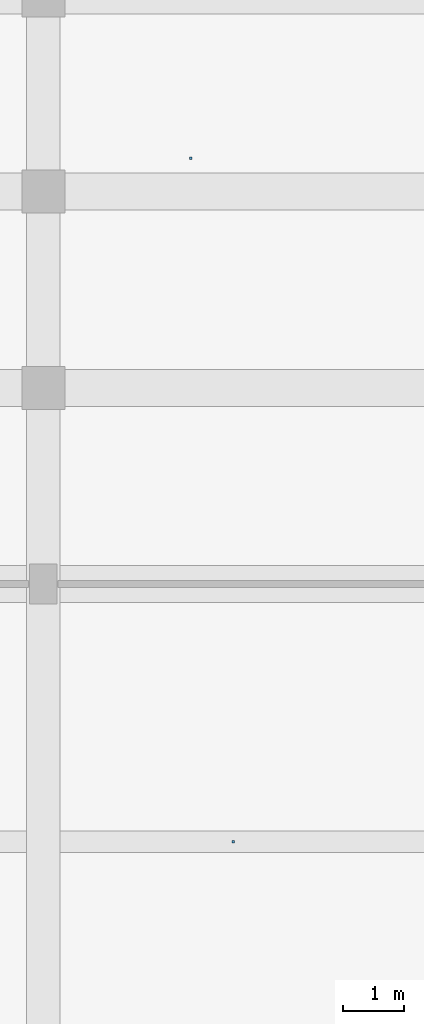
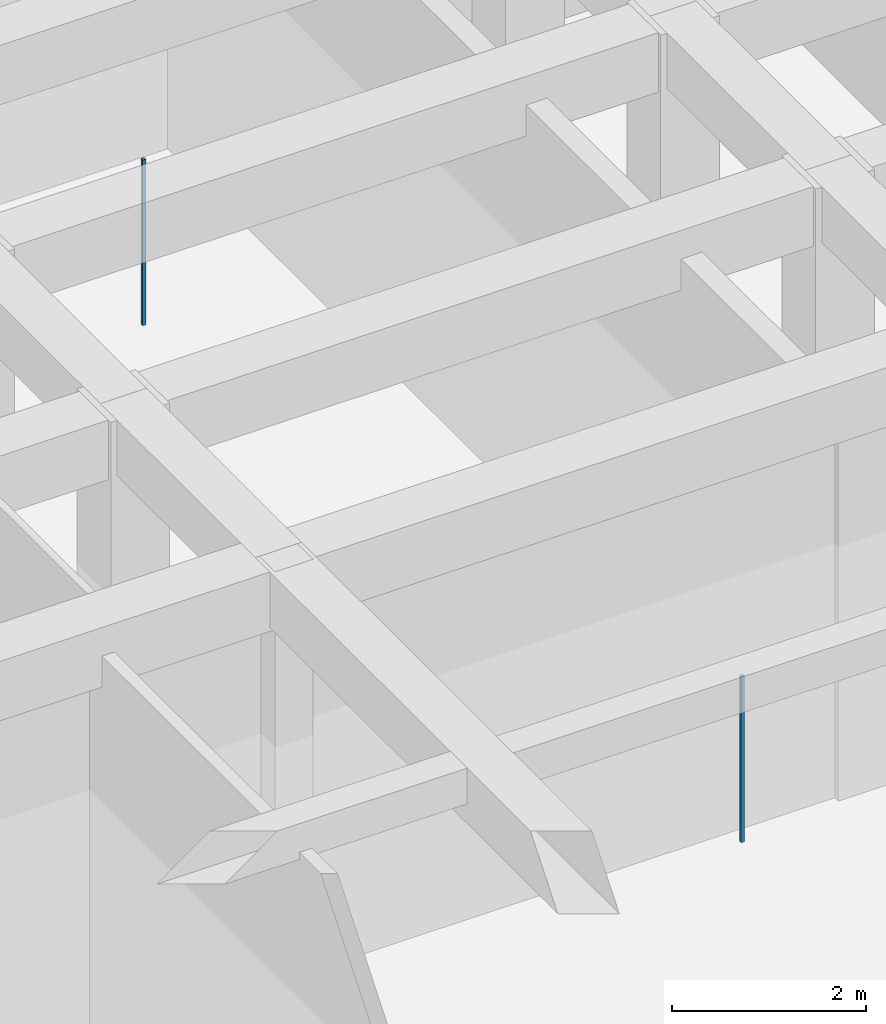
# One storey, part 106 of 167: 2 discrete accessories.
"""IFC4 building model written with IfcOpenShell, lengths in metres."""

import ifcopenshell
import ifcopenshell.guid

model = None  # the IFC model being written
_history = None  # IfcOwnerHistory: only IFC2X3 demands one
_inside = {}  # id of a spatial element -> (the spatial element, [elements in it])
_under = {}  # id of a project, library or spatial element -> (it, [spatial elements below it])
_declared = {}  # id of a project -> (the project, [libraries it declares])
_typed = {}  # id of a type object -> (the type object, [elements of that type])
_made_of = {}  # id of a material, layer set ... -> (it, [elements and type objects made of it])


def new_model(schema):
    """Start an empty IFC model of exactly this schema.

    Asked for "IFC4X3", IfcOpenShell would pick the latest addendum, in which some entities
    have other attributes; the version numbers below select the first issue.
    IFC2X3 requires an IfcOwnerHistory on every rooted entity: one is made here for all.
    """
    global model, _history
    if schema == "IFC4X3":
        model = ifcopenshell.file(schema_version=(4, 3, 0, 0))
    else:
        model = ifcopenshell.file(schema=schema)
    _inside.clear()
    _under.clear()
    _declared.clear()
    _typed.clear()
    _made_of.clear()
    _history = None
    if model.schema == "IFC2X3":
        org = make("IfcOrganization", Name="unknown")
        user = make(
            "IfcPersonAndOrganization",
            ThePerson=make("IfcPerson", FamilyName="unknown"),
            TheOrganization=org,
        )
        app = make(
            "IfcApplication",
            ApplicationDeveloper=org,
            Version="unknown",
            ApplicationFullName="unknown",
            ApplicationIdentifier="unknown",
        )
        _history = make(
            "IfcOwnerHistory",
            OwningUser=user,
            OwningApplication=app,
            ChangeAction="ADDED",
            CreationDate=0,
        )
    return model


def make(cls, **values):
    """One entity of the class cls with the attributes given. An attribute that is None is left unset."""
    return model.create_entity(
        cls, **{name: value for name, value in values.items() if value is not None}
    )


def rooted(cls, **values):
    """An entity with a GlobalId (a new one), such as an element, a storey or a relation."""
    return make(cls, GlobalId=ifcopenshell.guid.new(), OwnerHistory=_history, **values)


def si_unit(unit_type, name, prefix=None):
    """IfcSIUnit, for example si_unit("LENGTHUNIT", "METRE", prefix="MILLI")."""
    return make("IfcSIUnit", UnitType=unit_type, Prefix=prefix, Name=name)


def assignment(units):
    """IfcUnitAssignment: the units of a project."""
    return None if units is None else make("IfcUnitAssignment", Units=units)


def point(xyz):
    """IfcCartesianPoint."""
    return None if xyz is None else make("IfcCartesianPoint", Coordinates=xyz)


def direction(xyz):
    """IfcDirection."""
    return None if xyz is None else make("IfcDirection", DirectionRatios=xyz)


def frame(location, z_axis=None, x_axis=None):
    """IfcAxis2Placement3D, a coordinate frame: its origin and axes. An axis left out is left unset."""
    return make(
        "IfcAxis2Placement3D",
        Location=point(location),
        Axis=direction(z_axis),
        RefDirection=direction(x_axis),
    )


def frame_2d(location, x_axis=None):
    """IfcAxis2Placement2D, a coordinate frame in the plane: its origin and x axis."""
    return make(
        "IfcAxis2Placement2D", Location=point(location), RefDirection=direction(x_axis)
    )


def origin():
    """The frame at (0, 0, 0) with its axes left unset."""
    return frame((0.0, 0.0, 0.0))


def origin_2d():
    """The frame at (0, 0) in the plane with its x axis left unset."""
    return frame_2d((0.0, 0.0))


def place(relative_to, where):
    """IfcLocalPlacement: puts the frame where relative to a parent placement (None: the world)."""
    return make(
        "IfcLocalPlacement", PlacementRelTo=relative_to, RelativePlacement=where
    )


def context(
    kind, dimensions, precision=None, world=None, true_north=None, identifier=None
):
    """IfcGeometricRepresentationContext, for example the 3D "Model" context."""
    return make(
        "IfcGeometricRepresentationContext",
        ContextIdentifier=identifier,
        ContextType=kind,
        CoordinateSpaceDimension=dimensions,
        Precision=precision,
        WorldCoordinateSystem=world,
        TrueNorth=true_north,
    )


def subcontext(parent, identifier, kind, view, scale=None):
    """IfcGeometricRepresentationSubContext, for example "Body" below "Model"."""
    return make(
        "IfcGeometricRepresentationSubContext",
        ContextIdentifier=identifier,
        ContextType=kind,
        ParentContext=parent,
        TargetScale=scale,
        TargetView=view,
    )


def project(units=None, contexts=None):
    """IfcProject with its units and contexts."""
    return rooted(
        "IfcProject",
        Name="project",
        RepresentationContexts=contexts,
        UnitsInContext=assignment(units),
    )


def spatial(cls, under=None, at=None, **own):
    """A site, building, storey or space (cls), placed at a placement, below another one or the project."""
    s = rooted(cls, ObjectPlacement=at, **own)
    if under is not None:
        _under.setdefault(under.id(), (under, []))[1].append(s)
    return s


def profile(cls, at=None, kind="AREA", **sizes):
    """A parametric profile (cls). Its sizes go by their IFC names, for example OverallWidth=200.0."""
    return make(cls, ProfileType=kind, Position=at, **sizes)


def rectangle(**sizes):
    """IfcRectangleProfileDef."""
    return profile("IfcRectangleProfileDef", **sizes)


def extrude(swept, where, along, depth):
    """IfcExtrudedAreaSolid: the profile swept, set in the frame where, extruded along a direction by depth."""
    return make(
        "IfcExtrudedAreaSolid",
        SweptArea=swept,
        Position=where,
        ExtrudedDirection=direction(along),
        Depth=depth,
    )


def shape(context_of_items, identifier, shape_type, items):
    """IfcShapeRepresentation: the items that make up one representation, for example the "Body"."""
    return make(
        "IfcShapeRepresentation",
        ContextOfItems=context_of_items,
        RepresentationIdentifier=identifier,
        RepresentationType=shape_type,
        Items=items,
    )


def material(Name=None, Category=None):
    """IfcMaterial."""
    return make("IfcMaterial", Name=Name, Category=Category)


def made_of(thing, what):
    """Note that an element or type object is made of a material, layer set ...; save() writes the relation."""
    if what is not None:
        _made_of.setdefault(what.id(), (what, []))[1].append(thing)
    return thing


def type_object(cls, material=None, **own):
    """A type object (cls), such as IfcWallType, which elements share."""
    return made_of(rooted(cls, **own), material)


def element(
    cls,
    number,
    at=None,
    inside=None,
    cuts=None,
    type_object=None,
    material=None,
    context=None,
    identifier="Body",
    shape_type=None,
    held_by="IfcProductDefinitionShape",
    body=None,
    shapes=None,
    **own,
):
    """One element of the class cls, such as IfcWall. Its Tag is "e" and its number.

    at: its placement. inside: the storey or other place that contains it. cuts: it is an
    opening in that element (IfcRelVoidsElement). A single representation is given by context,
    identifier, shape_type and body (its items); several are given by shapes. held_by: the class
    of the entity that holds the representations. save() writes the other relations.
    """
    e = rooted(cls, Tag="e%d" % number, ObjectPlacement=at, **own)
    if body is not None:
        shapes = [shape(context, identifier, shape_type, body)]
    if shapes is not None:
        e.Representation = make(held_by, Representations=shapes)
    if inside is not None:
        _inside.setdefault(inside.id(), (inside, []))[1].append(e)
    if cuts is not None:
        rooted(
            "IfcRelVoidsElement", RelatingBuildingElement=cuts, RelatedOpeningElement=e
        )
    if type_object is not None:
        _typed.setdefault(type_object.id(), (type_object, []))[1].append(e)
    return made_of(e, material)


def aggregate(whole, parts):
    """IfcRelAggregates: a whole, such as a stair, and the parts it consists of."""
    return rooted("IfcRelAggregates", RelatingObject=whole, RelatedObjects=parts)


def save(model, path):
    """Write the relations noted so far, then the file.

    IfcRelAggregates (storeys below a building ...), IfcRelContainedInSpatialStructure (elements
    in a storey), IfcRelDefinesByType, IfcRelAssociatesMaterial and IfcRelDeclares: one each for
    every whole, place, type object, material and project.
    """
    for whole, parts in _under.values():
        aggregate(whole, parts)
    for where, things in _inside.values():
        rooted(
            "IfcRelContainedInSpatialStructure",
            RelatedElements=things,
            RelatingStructure=where,
        )
    for kind, things in _typed.values():
        rooted("IfcRelDefinesByType", RelatedObjects=things, RelatingType=kind)
    for what, things in _made_of.values():
        rooted("IfcRelAssociatesMaterial", RelatedObjects=things, RelatingMaterial=what)
    for by, libraries in _declared.values():
        rooted("IfcRelDeclares", RelatingContext=by, RelatedDefinitions=libraries)
    model.write(path)


model = new_model("IFC4")

# Units and contexts
model_context = context("Model", 3, precision=1e-05, world=origin(), true_north=direction((0.0, 1.0)))
body_context = subcontext(model_context, "Body", "Model", "MODEL_VIEW")
ifc_project = project(units=[si_unit("LENGTHUNIT", "METRE"), si_unit("AREAUNIT", "SQUARE_METRE"), si_unit("VOLUMEUNIT", "CUBIC_METRE"), si_unit("PLANEANGLEUNIT", "RADIAN"), si_unit("MASSUNIT", "GRAM", prefix="KILO")], contexts=[model_context])

# Site, building, storey
site_placement = place(None, origin())
site = spatial("IfcSite", under=ifc_project, at=site_placement, CompositionType="ELEMENT")
building_placement = place(site_placement, origin())
building = spatial("IfcBuilding", under=site, at=building_placement, Name="Varncliffe General Hospital", CompositionType="ELEMENT")
storey_placement = place(building_placement, origin())
storey = spatial("IfcBuildingStorey", under=building, at=storey_placement, Name="L00", CompositionType="ELEMENT", Elevation=0.0)

# Discrete accessories
ifc_material = material(Name="Powder-coated hospital steel guardrail and handrail", Category="steel")
discrete_accessory_type = type_object("IfcDiscreteAccessoryType", Name="Suspended Ceiling Hanger Bracket CH01", PredefinedType="BRACKET", material=ifc_material)
for number, where, z_axis, x_axis, name in (
    (1, (53.5, 95.39990234375, 3.18994140625), (0.0, 0.0, 1.0), (1.0, 0.0, 0.0), "L00 Suspended Ceiling Hanger 42"),
    (2, (52.800048828125, 106.54248046875, 3.18994140625), (0.0, 0.0, 1.0), (1.0, 0.0, 0.0), "L00 Suspended Ceiling Hanger 89"),
):
    element("IfcDiscreteAccessory", number, at=place(storey_placement, frame(where, z_axis=z_axis, x_axis=x_axis)), inside=storey, type_object=discrete_accessory_type, Name=name, PredefinedType="BRACKET", context=body_context, shape_type="SweptSolid", body=[
        extrude(rectangle(XDim=0.0400390625, YDim=0.0400390625, at=origin_2d()), origin(), (0.0, 0.0, 1.0), 2.090087890625),
    ])

save(model, "model.ifc")
